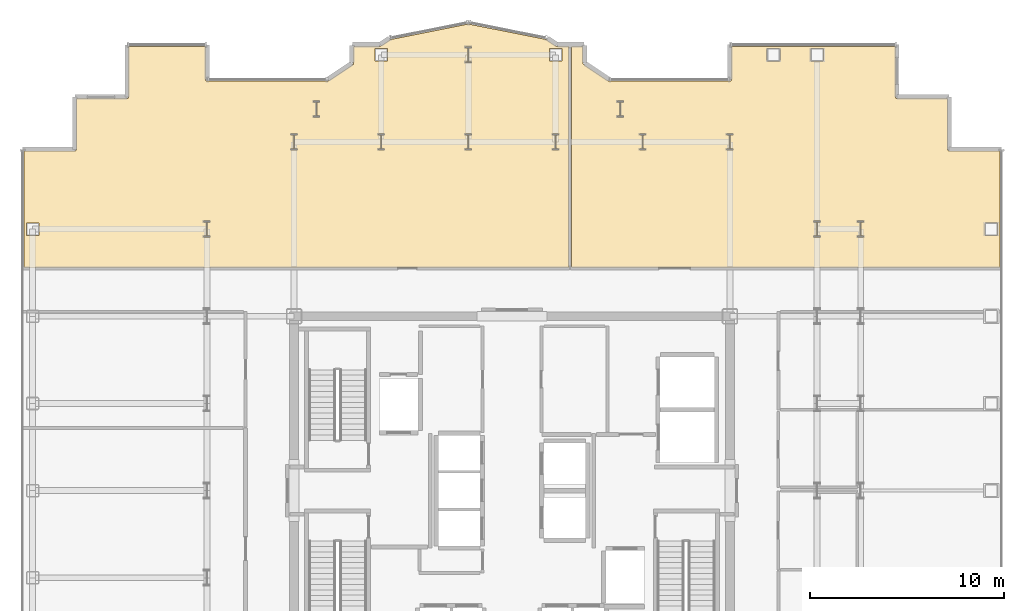
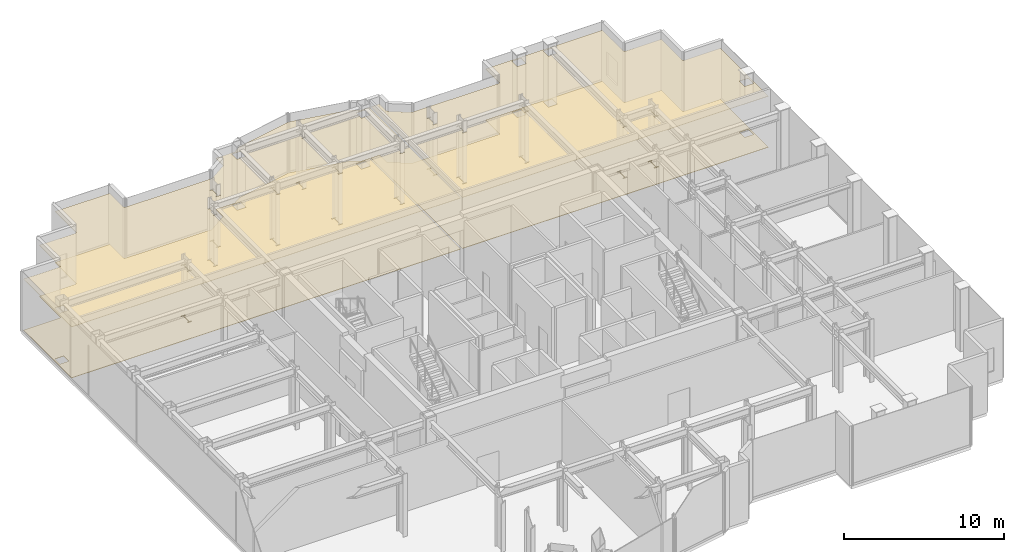
# One storey, part 20 of 20: 4 coverings.
"""IFC4 building model written with IfcOpenShell, lengths in metres."""

from ifc_helpers import new_model, si_unit, direction, frame, origin, place, context, subcontext, project, spatial, polyline, outline, extrude, material, layer, layer_set, type_object, element, save


model = new_model("IFC4")

# Units and contexts
model_context = context("Model", 3, precision=1e-05, world=origin(), true_north=direction((0.0, 1.0)))
body_context = subcontext(model_context, "Body", "Model", "MODEL_VIEW")
ifc_project = project(units=[si_unit("LENGTHUNIT", "METRE"), si_unit("AREAUNIT", "SQUARE_METRE"), si_unit("VOLUMEUNIT", "CUBIC_METRE"), si_unit("PLANEANGLEUNIT", "RADIAN"), si_unit("MASSUNIT", "GRAM", prefix="KILO")], contexts=[model_context])

# Site, building, storey
site_placement = place(None, origin())
site = spatial("IfcSite", under=ifc_project, at=site_placement, CompositionType="ELEMENT")
building_placement = place(site_placement, origin())
building = spatial("IfcBuilding", under=site, at=building_placement, Name="Nefas-Gora Pilgrimage Tower", CompositionType="ELEMENT")
storey_placement = place(building_placement, frame((0.0, 0.0, 259.800048828125)))
storey = spatial("IfcBuildingStorey", under=building, at=storey_placement, Name="L65", CompositionType="ELEMENT", Elevation=259.800048828125)

# Coverings
ifc_material_1 = material(Name="Perforated gypsum acoustic ceiling")
ifc_layer_1 = layer(ifc_material_1, 0.02490234375)
ifc_layer_set_1 = layer_set([ifc_layer_1], Name="Perforated gypsum acoustic ceiling")
covering_type_1 = type_object("IfcCoveringType", Name="COV-CEIL-ACOUST", PredefinedType="CEILING", material=ifc_layer_set_1)
covering_1_placement = place(storey_placement, frame((0.0, 0.0, 3.905029296875)))
element("IfcCovering", 1, at=covering_1_placement, inside=storey, type_object=covering_type_1, Name="L65 Acoustic Suspended Ceiling (North Panorama Sky Lobby)", PredefinedType="CEILING", context=body_context, shape_type="SweptSolid", body=[
    extrude(outline(polyline([(-25.18994140625, 17.5400390625), (-25.18994140625, 11.510009765625), (-13.719970703125, 11.510009765625), (2.93994140625, 11.510009765625), (2.93994140625, 22.93994140625), (2.32421875, 22.93994140625), (2.31640625, 22.9404296875), (2.30859375, 22.94140625), (2.30078125, 22.943359375), (2.29345703125, 22.946044921875), (2.286376953125, 22.949462890625), (2.27978515625, 22.95361328125), (1.776123046875, 23.289794921875), (-2.25, 24.0908203125), (-6.276123046875, 23.289794921875), (-6.77978515625, 22.95361328125), (-6.786376953125, 22.949462890625), (-6.79345703125, 22.946044921875), (-6.80078125, 22.943359375), (-6.80859375, 22.94140625), (-6.81640625, 22.9404296875), (-6.82421875, 22.93994140625), (-8.169921875, 22.93994140625), (-8.169921875, 22.0673828125), (-8.17041015625, 22.059326171875), (-8.17138671875, 22.0517578125), (-8.17333984375, 22.0439453125), (-8.176025390625, 22.03662109375), (-8.179443359375, 22.029541015625), (-8.18359375, 22.022705078125), (-8.188232421875, 22.0166015625), (-8.193359375, 22.0107421875), (-8.19921875, 22.00537109375), (-8.20556640625, 22.000732421875), (-9.4736328125, 21.153564453125), (-9.480224609375, 21.1494140625), (-9.4873046875, 21.14599609375), (-9.494873046875, 21.143310546875), (-9.50244140625, 21.1416015625), (-9.51025390625, 21.140380859375), (-9.51806640625, 21.139892578125), (-15.75, 21.139892578125), (-15.7578125, 21.140380859375), (-15.765625, 21.1416015625), (-15.773193359375, 21.143310546875), (-15.780517578125, 21.14599609375), (-15.78759765625, 21.1494140625), (-15.79443359375, 21.153564453125), (-15.80078125, 21.158203125), (-15.806640625, 21.163330078125), (-15.811767578125, 21.169189453125), (-15.81640625, 21.175537109375), (-15.820556640625, 21.182373046875), (-15.823974609375, 21.189453125), (-15.82666015625, 21.19677734375), (-15.82861328125, 21.204345703125), (-15.82958984375, 21.212158203125), (-15.830078125, 21.219970703125), (-15.830078125, 22.93994140625), (-19.7900390625, 22.93994140625), (-19.7900390625, 20.320068359375), (-19.790283203125, 20.312255859375), (-19.79150390625, 20.304443359375), (-19.79345703125, 20.296875), (-19.796142578125, 20.289306640625), (-19.79931640625, 20.2822265625), (-19.803466796875, 20.275634765625), (-19.80810546875, 20.269287109375), (-19.8134765625, 20.263427734375), (-19.819091796875, 20.25830078125), (-19.82568359375, 20.25341796875), (-19.832275390625, 20.24951171875), (-19.83935546875, 20.24609375), (-19.8466796875, 20.243408203125), (-19.8544921875, 20.241455078125), (-19.8623046875, 20.240478515625), (-19.8701171875, 20.239990234375), (-22.489990234375, 20.239990234375), (-22.489990234375, 17.6201171875), (-22.490478515625, 17.6123046875), (-22.491455078125, 17.6044921875), (-22.493408203125, 17.5966796875), (-22.49609375, 17.58935546875), (-22.49951171875, 17.582275390625), (-22.50341796875, 17.57568359375), (-22.50830078125, 17.569091796875), (-22.513427734375, 17.5634765625), (-22.519287109375, 17.55810546875), (-22.525634765625, 17.553466796875), (-22.5322265625, 17.54931640625), (-22.539306640625, 17.546142578125), (-22.546875, 17.54345703125), (-22.554443359375, 17.54150390625), (-22.562255859375, 17.540283203125), (-22.570068359375, 17.5400390625), (-25.18994140625, 17.5400390625)]), holes=[polyline([(2.576904296875, 22.826904296875), (2.576904296875, 22.173095703125), (1.923095703125, 22.173095703125), (1.923095703125, 22.826904296875), (2.576904296875, 22.826904296875)]), polyline([(2.403564453125, 18.408935546875), (2.403564453125, 18.364990234375), (2.262451171875, 18.364990234375), (2.262451171875, 17.635009765625), (2.403564453125, 17.635009765625), (2.403564453125, 17.591064453125), (2.096435546875, 17.591064453125), (2.096435546875, 17.635009765625), (2.237548828125, 17.635009765625), (2.237548828125, 18.364990234375), (2.096435546875, 18.364990234375), (2.096435546875, 18.408935546875), (2.403564453125, 18.408935546875)]), polyline([(-2.096435546875, 18.408935546875), (-2.096435546875, 18.364990234375), (-2.237548828125, 18.364990234375), (-2.237548828125, 17.635009765625), (-2.096435546875, 17.635009765625), (-2.096435546875, 17.591064453125), (-2.403564453125, 17.591064453125), (-2.403564453125, 17.635009765625), (-2.262451171875, 17.635009765625), (-2.262451171875, 18.364990234375), (-2.403564453125, 18.364990234375), (-2.403564453125, 18.408935546875), (-2.096435546875, 18.408935546875)]), polyline([(-2.096435546875, 22.908935546875), (-2.096435546875, 22.864990234375), (-2.237548828125, 22.864990234375), (-2.237548828125, 22.135009765625), (-2.096435546875, 22.135009765625), (-2.096435546875, 22.091064453125), (-2.403564453125, 22.091064453125), (-2.403564453125, 22.135009765625), (-2.262451171875, 22.135009765625), (-2.262451171875, 22.864990234375), (-2.403564453125, 22.864990234375), (-2.403564453125, 22.908935546875), (-2.096435546875, 22.908935546875)]), polyline([(-6.423095703125, 22.826904296875), (-6.423095703125, 22.173095703125), (-7.076904296875, 22.173095703125), (-7.076904296875, 22.826904296875), (-6.423095703125, 22.826904296875)]), polyline([(-6.596435546875, 18.408935546875), (-6.596435546875, 18.364990234375), (-6.737548828125, 18.364990234375), (-6.737548828125, 17.635009765625), (-6.596435546875, 17.635009765625), (-6.596435546875, 17.591064453125), (-6.903564453125, 17.591064453125), (-6.903564453125, 17.635009765625), (-6.762451171875, 17.635009765625), (-6.762451171875, 18.364990234375), (-6.903564453125, 18.364990234375), (-6.903564453125, 18.408935546875), (-6.596435546875, 18.408935546875)]), polyline([(-9.9375, 20.10498046875), (-9.9375, 20.06103515625), (-10.07861328125, 20.06103515625), (-10.07861328125, 19.3310546875), (-9.9375, 19.3310546875), (-9.9375, 19.287109375), (-10.244384765625, 19.287109375), (-10.244384765625, 19.3310546875), (-10.103515625, 19.3310546875), (-10.103515625, 20.06103515625), (-10.244384765625, 20.06103515625), (-10.244384765625, 20.10498046875), (-9.9375, 20.10498046875)]), polyline([(-11.096435546875, 18.408935546875), (-11.096435546875, 18.364990234375), (-11.237548828125, 18.364990234375), (-11.237548828125, 17.635009765625), (-11.096435546875, 17.635009765625), (-11.096435546875, 17.591064453125), (-11.403564453125, 17.591064453125), (-11.403564453125, 17.635009765625), (-11.262451171875, 17.635009765625), (-11.262451171875, 18.364990234375), (-11.403564453125, 18.364990234375), (-11.403564453125, 18.408935546875), (-11.096435546875, 18.408935546875)]), polyline([(-15.596435546875, 13.908935546875), (-15.596435546875, 13.864990234375), (-15.737548828125, 13.864990234375), (-15.737548828125, 13.135009765625), (-15.596435546875, 13.135009765625), (-15.596435546875, 13.091064453125), (-15.903564453125, 13.091064453125), (-15.903564453125, 13.135009765625), (-15.762451171875, 13.135009765625), (-15.762451171875, 13.864990234375), (-15.903564453125, 13.864990234375), (-15.903564453125, 13.908935546875), (-15.596435546875, 13.908935546875)]), polyline([(-24.423095703125, 13.826904296875), (-24.423095703125, 13.173095703125), (-25.076904296875, 13.173095703125), (-25.076904296875, 13.826904296875), (-24.423095703125, 13.826904296875)])]), origin(), (0.0, 0.0, 1.0), 0.02490234375),
])
covering_2_placement = place(storey_placement, frame((0.0, 0.0, 3.905029296875)))
element("IfcCovering", 2, at=covering_2_placement, inside=storey, type_object=covering_type_1, Name="L65 Acoustic Suspended Ceiling (Sky Transfer Concierge Hall)", PredefinedType="CEILING", context=body_context, shape_type="SweptSolid", body=[
    extrude(outline(polyline([(3.669921875, 22.93994140625), (3.06005859375, 22.93994140625), (3.06005859375, 11.510009765625), (13.719970703125, 11.510009765625), (25.18994140625, 11.510009765625), (25.18994140625, 17.5400390625), (22.570068359375, 17.5400390625), (22.562255859375, 17.540283203125), (22.554443359375, 17.54150390625), (22.546875, 17.54345703125), (22.539306640625, 17.546142578125), (22.5322265625, 17.54931640625), (22.525634765625, 17.553466796875), (22.519287109375, 17.55810546875), (22.513427734375, 17.5634765625), (22.50830078125, 17.569091796875), (22.50341796875, 17.57568359375), (22.49951171875, 17.582275390625), (22.49609375, 17.58935546875), (22.493408203125, 17.5966796875), (22.491455078125, 17.6044921875), (22.490478515625, 17.6123046875), (22.489990234375, 17.6201171875), (22.489990234375, 20.239990234375), (19.8701171875, 20.239990234375), (19.8623046875, 20.240478515625), (19.8544921875, 20.241455078125), (19.8466796875, 20.243408203125), (19.83935546875, 20.24609375), (19.832275390625, 20.24951171875), (19.82568359375, 20.25341796875), (19.819091796875, 20.25830078125), (19.8134765625, 20.263427734375), (19.80810546875, 20.269287109375), (19.803466796875, 20.275634765625), (19.79931640625, 20.2822265625), (19.796142578125, 20.289306640625), (19.79345703125, 20.296875), (19.79150390625, 20.304443359375), (19.790283203125, 20.312255859375), (19.7900390625, 20.320068359375), (19.7900390625, 22.93994140625), (11.330078125, 22.93994140625), (11.330078125, 21.219970703125), (11.32958984375, 21.212158203125), (11.32861328125, 21.204345703125), (11.32666015625, 21.19677734375), (11.323974609375, 21.189453125), (11.320556640625, 21.182373046875), (11.31640625, 21.175537109375), (11.311767578125, 21.169189453125), (11.306640625, 21.163330078125), (11.30078125, 21.158203125), (11.29443359375, 21.153564453125), (11.28759765625, 21.1494140625), (11.280517578125, 21.14599609375), (11.273193359375, 21.143310546875), (11.265625, 21.1416015625), (11.2578125, 21.140380859375), (11.25, 21.139892578125), (5.01806640625, 21.139892578125), (5.01025390625, 21.140380859375), (5.00244140625, 21.1416015625), (4.994873046875, 21.143310546875), (4.9873046875, 21.14599609375), (4.980224609375, 21.1494140625), (4.9736328125, 21.153564453125), (3.70556640625, 22.000732421875), (3.69921875, 22.00537109375), (3.693359375, 22.0107421875), (3.688232421875, 22.0166015625), (3.68359375, 22.022705078125), (3.679443359375, 22.029541015625), (3.676025390625, 22.03662109375), (3.67333984375, 22.0439453125), (3.67138671875, 22.0517578125), (3.67041015625, 22.059326171875), (3.669921875, 22.0673828125), (3.669921875, 22.93994140625)]), holes=[polyline([(25.076904296875, 13.173095703125), (24.423095703125, 13.173095703125), (24.423095703125, 13.826904296875), (25.076904296875, 13.826904296875), (25.076904296875, 13.173095703125)]), polyline([(18.153564453125, 13.864990234375), (18.012451171875, 13.864990234375), (18.012451171875, 13.135009765625), (18.153564453125, 13.135009765625), (18.153564453125, 13.091064453125), (17.846435546875, 13.091064453125), (17.846435546875, 13.135009765625), (17.987548828125, 13.135009765625), (17.987548828125, 13.864990234375), (17.846435546875, 13.864990234375), (17.846435546875, 13.908935546875), (18.153564453125, 13.908935546875), (18.153564453125, 13.864990234375)]), polyline([(16.076904296875, 22.826904296875), (16.076904296875, 22.173095703125), (15.423095703125, 22.173095703125), (15.423095703125, 22.826904296875), (16.076904296875, 22.826904296875)]), polyline([(15.903564453125, 13.908935546875), (15.903564453125, 13.864990234375), (15.762451171875, 13.864990234375), (15.762451171875, 13.135009765625), (15.903564453125, 13.135009765625), (15.903564453125, 13.091064453125), (15.596435546875, 13.091064453125), (15.596435546875, 13.135009765625), (15.737548828125, 13.135009765625), (15.737548828125, 13.864990234375), (15.596435546875, 13.864990234375), (15.596435546875, 13.908935546875), (15.903564453125, 13.908935546875)]), polyline([(13.826904296875, 22.826904296875), (13.826904296875, 22.173095703125), (13.173095703125, 22.173095703125), (13.173095703125, 22.826904296875), (13.826904296875, 22.826904296875)]), polyline([(11.403564453125, 18.408935546875), (11.403564453125, 18.364990234375), (11.262451171875, 18.364990234375), (11.262451171875, 17.635009765625), (11.403564453125, 17.635009765625), (11.403564453125, 17.591064453125), (11.096435546875, 17.591064453125), (11.096435546875, 17.635009765625), (11.237548828125, 17.635009765625), (11.237548828125, 18.364990234375), (11.096435546875, 18.364990234375), (11.096435546875, 18.408935546875), (11.403564453125, 18.408935546875)]), polyline([(6.903564453125, 18.408935546875), (6.903564453125, 18.364990234375), (6.762451171875, 18.364990234375), (6.762451171875, 17.635009765625), (6.903564453125, 17.635009765625), (6.903564453125, 17.591064453125), (6.596435546875, 17.591064453125), (6.596435546875, 17.635009765625), (6.737548828125, 17.635009765625), (6.737548828125, 18.364990234375), (6.596435546875, 18.364990234375), (6.596435546875, 18.408935546875), (6.903564453125, 18.408935546875)]), polyline([(5.744384765625, 20.10498046875), (5.744384765625, 20.06103515625), (5.603515625, 20.06103515625), (5.603515625, 19.3310546875), (5.744384765625, 19.3310546875), (5.744384765625, 19.287109375), (5.4375, 19.287109375), (5.4375, 19.3310546875), (5.57861328125, 19.3310546875), (5.57861328125, 20.06103515625), (5.4375, 20.06103515625), (5.4375, 20.10498046875), (5.744384765625, 20.10498046875)])]), origin(), (0.0, 0.0, 1.0), 0.02490234375),
])
ifc_material_2 = material(Name="Honed granite stone flooring", Category="masonry")
ifc_layer_2 = layer(ifc_material_2, 0.030029296875)
ifc_layer_set_2 = layer_set([ifc_layer_2], Name="Honed granite stone flooring")
covering_type_2 = type_object("IfcCoveringType", Name="COV-FLOR-GRAN", PredefinedType="FLOORING", material=ifc_layer_set_2)
covering_3_placement = place(storey_placement, origin())
element("IfcCovering", 3, at=covering_3_placement, inside=storey, type_object=covering_type_2, Name="L65 Honed Granite Flooring (North Panorama Sky Lobby)", PredefinedType="FLOORING", context=body_context, shape_type="SweptSolid", body=[
    extrude(outline(polyline([(-25.18994140625, 17.5400390625), (-25.18994140625, 11.510009765625), (-13.719970703125, 11.510009765625), (2.93994140625, 11.510009765625), (2.93994140625, 22.93994140625), (2.32421875, 22.93994140625), (2.31640625, 22.9404296875), (2.30859375, 22.94140625), (2.30078125, 22.943359375), (2.29345703125, 22.946044921875), (2.286376953125, 22.949462890625), (2.27978515625, 22.95361328125), (1.776123046875, 23.289794921875), (-2.25, 24.0908203125), (-6.276123046875, 23.289794921875), (-6.77978515625, 22.95361328125), (-6.786376953125, 22.949462890625), (-6.79345703125, 22.946044921875), (-6.80078125, 22.943359375), (-6.80859375, 22.94140625), (-6.81640625, 22.9404296875), (-6.82421875, 22.93994140625), (-8.169921875, 22.93994140625), (-8.169921875, 22.0673828125), (-8.17041015625, 22.059326171875), (-8.17138671875, 22.0517578125), (-8.17333984375, 22.0439453125), (-8.176025390625, 22.03662109375), (-8.179443359375, 22.029541015625), (-8.18359375, 22.022705078125), (-8.188232421875, 22.0166015625), (-8.193359375, 22.0107421875), (-8.19921875, 22.00537109375), (-8.20556640625, 22.000732421875), (-9.4736328125, 21.153564453125), (-9.480224609375, 21.1494140625), (-9.4873046875, 21.14599609375), (-9.494873046875, 21.143310546875), (-9.50244140625, 21.1416015625), (-9.51025390625, 21.140380859375), (-9.51806640625, 21.139892578125), (-15.75, 21.139892578125), (-15.7578125, 21.140380859375), (-15.765625, 21.1416015625), (-15.773193359375, 21.143310546875), (-15.780517578125, 21.14599609375), (-15.78759765625, 21.1494140625), (-15.79443359375, 21.153564453125), (-15.80078125, 21.158203125), (-15.806640625, 21.163330078125), (-15.811767578125, 21.169189453125), (-15.81640625, 21.175537109375), (-15.820556640625, 21.182373046875), (-15.823974609375, 21.189453125), (-15.82666015625, 21.19677734375), (-15.82861328125, 21.204345703125), (-15.82958984375, 21.212158203125), (-15.830078125, 21.219970703125), (-15.830078125, 22.93994140625), (-19.7900390625, 22.93994140625), (-19.7900390625, 20.320068359375), (-19.790283203125, 20.312255859375), (-19.79150390625, 20.304443359375), (-19.79345703125, 20.296875), (-19.796142578125, 20.289306640625), (-19.79931640625, 20.2822265625), (-19.803466796875, 20.275634765625), (-19.80810546875, 20.269287109375), (-19.8134765625, 20.263427734375), (-19.819091796875, 20.25830078125), (-19.82568359375, 20.25341796875), (-19.832275390625, 20.24951171875), (-19.83935546875, 20.24609375), (-19.8466796875, 20.243408203125), (-19.8544921875, 20.241455078125), (-19.8623046875, 20.240478515625), (-19.8701171875, 20.239990234375), (-22.489990234375, 20.239990234375), (-22.489990234375, 17.6201171875), (-22.490478515625, 17.6123046875), (-22.491455078125, 17.6044921875), (-22.493408203125, 17.5966796875), (-22.49609375, 17.58935546875), (-22.49951171875, 17.582275390625), (-22.50341796875, 17.57568359375), (-22.50830078125, 17.569091796875), (-22.513427734375, 17.5634765625), (-22.519287109375, 17.55810546875), (-22.525634765625, 17.553466796875), (-22.5322265625, 17.54931640625), (-22.539306640625, 17.546142578125), (-22.546875, 17.54345703125), (-22.554443359375, 17.54150390625), (-22.562255859375, 17.540283203125), (-22.570068359375, 17.5400390625), (-25.18994140625, 17.5400390625)]), holes=[polyline([(2.576904296875, 22.826904296875), (2.576904296875, 22.173095703125), (1.923095703125, 22.173095703125), (1.923095703125, 22.826904296875), (2.576904296875, 22.826904296875)]), polyline([(2.403564453125, 18.408935546875), (2.403564453125, 18.364990234375), (2.262451171875, 18.364990234375), (2.262451171875, 17.635009765625), (2.403564453125, 17.635009765625), (2.403564453125, 17.591064453125), (2.096435546875, 17.591064453125), (2.096435546875, 17.635009765625), (2.237548828125, 17.635009765625), (2.237548828125, 18.364990234375), (2.096435546875, 18.364990234375), (2.096435546875, 18.408935546875), (2.403564453125, 18.408935546875)]), polyline([(-2.096435546875, 18.408935546875), (-2.096435546875, 18.364990234375), (-2.237548828125, 18.364990234375), (-2.237548828125, 17.635009765625), (-2.096435546875, 17.635009765625), (-2.096435546875, 17.591064453125), (-2.403564453125, 17.591064453125), (-2.403564453125, 17.635009765625), (-2.262451171875, 17.635009765625), (-2.262451171875, 18.364990234375), (-2.403564453125, 18.364990234375), (-2.403564453125, 18.408935546875), (-2.096435546875, 18.408935546875)]), polyline([(-2.096435546875, 22.908935546875), (-2.096435546875, 22.864990234375), (-2.237548828125, 22.864990234375), (-2.237548828125, 22.135009765625), (-2.096435546875, 22.135009765625), (-2.096435546875, 22.091064453125), (-2.403564453125, 22.091064453125), (-2.403564453125, 22.135009765625), (-2.262451171875, 22.135009765625), (-2.262451171875, 22.864990234375), (-2.403564453125, 22.864990234375), (-2.403564453125, 22.908935546875), (-2.096435546875, 22.908935546875)]), polyline([(-6.423095703125, 22.826904296875), (-6.423095703125, 22.173095703125), (-7.076904296875, 22.173095703125), (-7.076904296875, 22.826904296875), (-6.423095703125, 22.826904296875)]), polyline([(-6.596435546875, 18.408935546875), (-6.596435546875, 18.364990234375), (-6.737548828125, 18.364990234375), (-6.737548828125, 17.635009765625), (-6.596435546875, 17.635009765625), (-6.596435546875, 17.591064453125), (-6.903564453125, 17.591064453125), (-6.903564453125, 17.635009765625), (-6.762451171875, 17.635009765625), (-6.762451171875, 18.364990234375), (-6.903564453125, 18.364990234375), (-6.903564453125, 18.408935546875), (-6.596435546875, 18.408935546875)]), polyline([(-9.9375, 20.10498046875), (-9.9375, 20.06103515625), (-10.07861328125, 20.06103515625), (-10.07861328125, 19.3310546875), (-9.9375, 19.3310546875), (-9.9375, 19.287109375), (-10.244384765625, 19.287109375), (-10.244384765625, 19.3310546875), (-10.103515625, 19.3310546875), (-10.103515625, 20.06103515625), (-10.244384765625, 20.06103515625), (-10.244384765625, 20.10498046875), (-9.9375, 20.10498046875)]), polyline([(-11.096435546875, 18.408935546875), (-11.096435546875, 18.364990234375), (-11.237548828125, 18.364990234375), (-11.237548828125, 17.635009765625), (-11.096435546875, 17.635009765625), (-11.096435546875, 17.591064453125), (-11.403564453125, 17.591064453125), (-11.403564453125, 17.635009765625), (-11.262451171875, 17.635009765625), (-11.262451171875, 18.364990234375), (-11.403564453125, 18.364990234375), (-11.403564453125, 18.408935546875), (-11.096435546875, 18.408935546875)]), polyline([(-15.596435546875, 13.908935546875), (-15.596435546875, 13.864990234375), (-15.737548828125, 13.864990234375), (-15.737548828125, 13.135009765625), (-15.596435546875, 13.135009765625), (-15.596435546875, 13.091064453125), (-15.903564453125, 13.091064453125), (-15.903564453125, 13.135009765625), (-15.762451171875, 13.135009765625), (-15.762451171875, 13.864990234375), (-15.903564453125, 13.864990234375), (-15.903564453125, 13.908935546875), (-15.596435546875, 13.908935546875)]), polyline([(-24.423095703125, 13.826904296875), (-24.423095703125, 13.173095703125), (-25.076904296875, 13.173095703125), (-25.076904296875, 13.826904296875), (-24.423095703125, 13.826904296875)])]), origin(), (0.0, 0.0, 1.0), 0.030029296875),
])
covering_4_placement = place(storey_placement, origin())
element("IfcCovering", 4, at=covering_4_placement, inside=storey, type_object=covering_type_2, Name="L65 Honed Granite Flooring (Sky Transfer Concierge Hall)", PredefinedType="FLOORING", context=body_context, shape_type="SweptSolid", body=[
    extrude(outline(polyline([(3.669921875, 22.93994140625), (3.06005859375, 22.93994140625), (3.06005859375, 11.510009765625), (13.719970703125, 11.510009765625), (25.18994140625, 11.510009765625), (25.18994140625, 17.5400390625), (22.570068359375, 17.5400390625), (22.562255859375, 17.540283203125), (22.554443359375, 17.54150390625), (22.546875, 17.54345703125), (22.539306640625, 17.546142578125), (22.5322265625, 17.54931640625), (22.525634765625, 17.553466796875), (22.519287109375, 17.55810546875), (22.513427734375, 17.5634765625), (22.50830078125, 17.569091796875), (22.50341796875, 17.57568359375), (22.49951171875, 17.582275390625), (22.49609375, 17.58935546875), (22.493408203125, 17.5966796875), (22.491455078125, 17.6044921875), (22.490478515625, 17.6123046875), (22.489990234375, 17.6201171875), (22.489990234375, 20.239990234375), (19.8701171875, 20.239990234375), (19.8623046875, 20.240478515625), (19.8544921875, 20.241455078125), (19.8466796875, 20.243408203125), (19.83935546875, 20.24609375), (19.832275390625, 20.24951171875), (19.82568359375, 20.25341796875), (19.819091796875, 20.25830078125), (19.8134765625, 20.263427734375), (19.80810546875, 20.269287109375), (19.803466796875, 20.275634765625), (19.79931640625, 20.2822265625), (19.796142578125, 20.289306640625), (19.79345703125, 20.296875), (19.79150390625, 20.304443359375), (19.790283203125, 20.312255859375), (19.7900390625, 20.320068359375), (19.7900390625, 22.93994140625), (11.330078125, 22.93994140625), (11.330078125, 21.219970703125), (11.32958984375, 21.212158203125), (11.32861328125, 21.204345703125), (11.32666015625, 21.19677734375), (11.323974609375, 21.189453125), (11.320556640625, 21.182373046875), (11.31640625, 21.175537109375), (11.311767578125, 21.169189453125), (11.306640625, 21.163330078125), (11.30078125, 21.158203125), (11.29443359375, 21.153564453125), (11.28759765625, 21.1494140625), (11.280517578125, 21.14599609375), (11.273193359375, 21.143310546875), (11.265625, 21.1416015625), (11.2578125, 21.140380859375), (11.25, 21.139892578125), (5.01806640625, 21.139892578125), (5.01025390625, 21.140380859375), (5.00244140625, 21.1416015625), (4.994873046875, 21.143310546875), (4.9873046875, 21.14599609375), (4.980224609375, 21.1494140625), (4.9736328125, 21.153564453125), (3.70556640625, 22.000732421875), (3.69921875, 22.00537109375), (3.693359375, 22.0107421875), (3.688232421875, 22.0166015625), (3.68359375, 22.022705078125), (3.679443359375, 22.029541015625), (3.676025390625, 22.03662109375), (3.67333984375, 22.0439453125), (3.67138671875, 22.0517578125), (3.67041015625, 22.059326171875), (3.669921875, 22.0673828125), (3.669921875, 22.93994140625)]), holes=[polyline([(25.076904296875, 13.173095703125), (24.423095703125, 13.173095703125), (24.423095703125, 13.826904296875), (25.076904296875, 13.826904296875), (25.076904296875, 13.173095703125)]), polyline([(18.153564453125, 13.864990234375), (18.012451171875, 13.864990234375), (18.012451171875, 13.135009765625), (18.153564453125, 13.135009765625), (18.153564453125, 13.091064453125), (17.846435546875, 13.091064453125), (17.846435546875, 13.135009765625), (17.987548828125, 13.135009765625), (17.987548828125, 13.864990234375), (17.846435546875, 13.864990234375), (17.846435546875, 13.908935546875), (18.153564453125, 13.908935546875), (18.153564453125, 13.864990234375)]), polyline([(16.076904296875, 22.826904296875), (16.076904296875, 22.173095703125), (15.423095703125, 22.173095703125), (15.423095703125, 22.826904296875), (16.076904296875, 22.826904296875)]), polyline([(15.903564453125, 13.908935546875), (15.903564453125, 13.864990234375), (15.762451171875, 13.864990234375), (15.762451171875, 13.135009765625), (15.903564453125, 13.135009765625), (15.903564453125, 13.091064453125), (15.596435546875, 13.091064453125), (15.596435546875, 13.135009765625), (15.737548828125, 13.135009765625), (15.737548828125, 13.864990234375), (15.596435546875, 13.864990234375), (15.596435546875, 13.908935546875), (15.903564453125, 13.908935546875)]), polyline([(13.826904296875, 22.826904296875), (13.826904296875, 22.173095703125), (13.173095703125, 22.173095703125), (13.173095703125, 22.826904296875), (13.826904296875, 22.826904296875)]), polyline([(11.403564453125, 18.408935546875), (11.403564453125, 18.364990234375), (11.262451171875, 18.364990234375), (11.262451171875, 17.635009765625), (11.403564453125, 17.635009765625), (11.403564453125, 17.591064453125), (11.096435546875, 17.591064453125), (11.096435546875, 17.635009765625), (11.237548828125, 17.635009765625), (11.237548828125, 18.364990234375), (11.096435546875, 18.364990234375), (11.096435546875, 18.408935546875), (11.403564453125, 18.408935546875)]), polyline([(6.903564453125, 18.408935546875), (6.903564453125, 18.364990234375), (6.762451171875, 18.364990234375), (6.762451171875, 17.635009765625), (6.903564453125, 17.635009765625), (6.903564453125, 17.591064453125), (6.596435546875, 17.591064453125), (6.596435546875, 17.635009765625), (6.737548828125, 17.635009765625), (6.737548828125, 18.364990234375), (6.596435546875, 18.364990234375), (6.596435546875, 18.408935546875), (6.903564453125, 18.408935546875)]), polyline([(5.744384765625, 20.10498046875), (5.744384765625, 20.06103515625), (5.603515625, 20.06103515625), (5.603515625, 19.3310546875), (5.744384765625, 19.3310546875), (5.744384765625, 19.287109375), (5.4375, 19.287109375), (5.4375, 19.3310546875), (5.57861328125, 19.3310546875), (5.57861328125, 20.06103515625), (5.4375, 20.06103515625), (5.4375, 20.10498046875), (5.744384765625, 20.10498046875)])]), origin(), (0.0, 0.0, 1.0), 0.030029296875),
])

save(model, "model.ifc")
